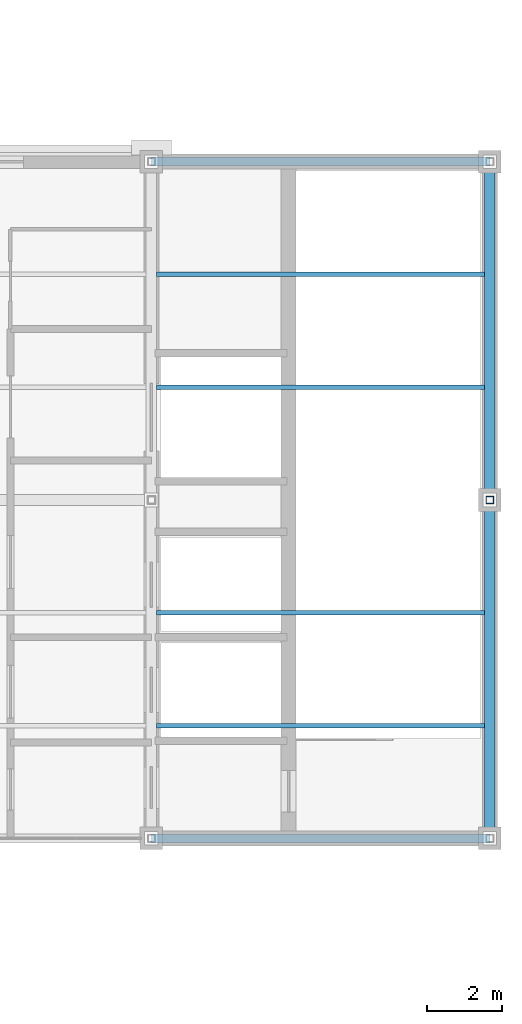
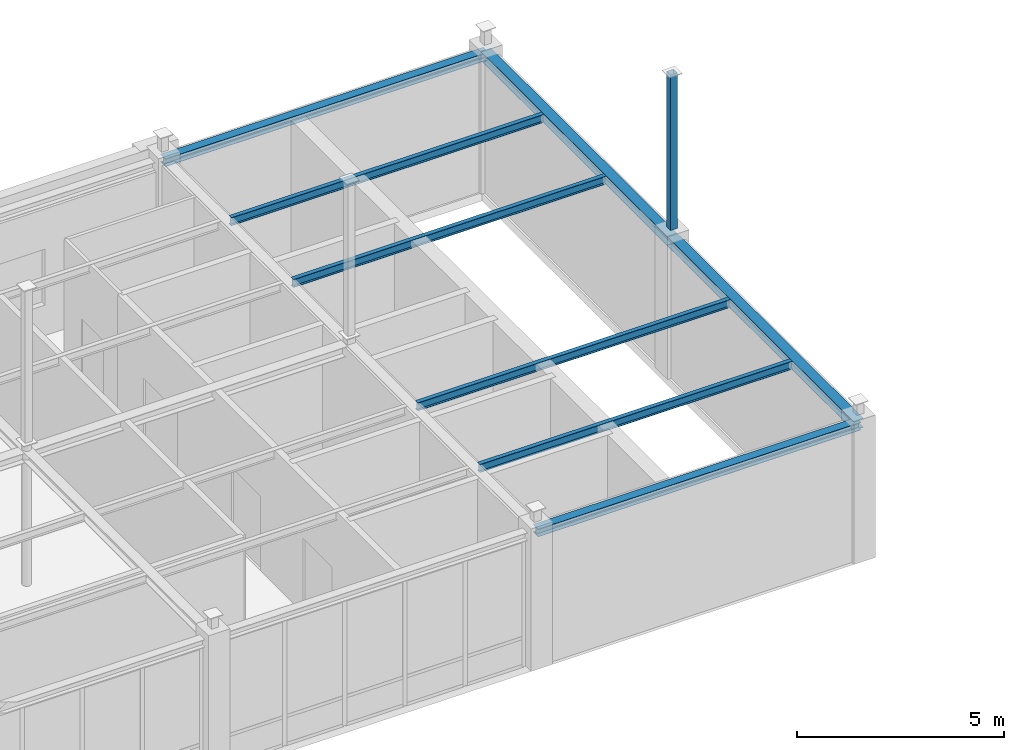
# One storey, part 64 of 97: 8 beams, 1 member.
"""IFC4 building model written with IfcOpenShell, lengths in metres."""

from ifc_helpers import new_model, si_unit, direction, frame, origin, origin_2d, place, context, subcontext, project, spatial, hollow_rectangle, i_section, extrude, material, material_profile, profile_set, type_object, element, save


model = new_model("IFC4")

# Units and contexts
model_context = context("Model", 3, precision=1e-05, world=origin(), true_north=direction((0.0, 1.0)))
body_context = subcontext(model_context, "Body", "Model", "MODEL_VIEW")
ifc_project = project(units=[si_unit("LENGTHUNIT", "METRE"), si_unit("AREAUNIT", "SQUARE_METRE"), si_unit("VOLUMEUNIT", "CUBIC_METRE"), si_unit("PLANEANGLEUNIT", "RADIAN"), si_unit("MASSUNIT", "GRAM", prefix="KILO")], contexts=[model_context])

# Site, building, storey
site_placement = place(None, origin())
site = spatial("IfcSite", under=ifc_project, at=site_placement, CompositionType="ELEMENT")
building_placement = place(site_placement, origin())
building = spatial("IfcBuilding", under=site, at=building_placement, Name="Lykobir Media Centre", CompositionType="ELEMENT")
storey_placement = place(building_placement, frame((0.0, 0.0, 23.39990234375)))
storey = spatial("IfcBuildingStorey", under=building, at=storey_placement, Name="L05", CompositionType="ELEMENT", Elevation=23.39990234375)

# Beams
ifc_material = material(Name="Steel S355", Category="steel")
ifc_material_profile_1 = material_profile(ifc_material, i_section(OverallWidth=0.280029296875, OverallDepth=0.27001953125, WebThickness=0.008056640625, FlangeThickness=0.012939453125, at=origin_2d()), Name="HEA 280")
ifc_profile_set_1 = profile_set([ifc_material_profile_1], Name="Steel S355")
beam_type_1 = type_object("IfcBeamType", Name="BM-HEA280", PredefinedType="BEAM", material=ifc_profile_set_1)
for number, where, z_axis, x_axis, name in (
    (1, (135.0, 72.0, 3.84521484375), (0.0, 1.0, 0.0), (-1.0, 0.0, 0.0), "Beam BM-L05-1350-0720-1350-0810-2724"),
    (2, (135.0, 81.0, 3.84521484375), (0.0, 1.0, 0.0), (-1.0, 0.0, 0.0), "Beam BM-L05-1350-0810-1350-0900-2724"),
):
    element("IfcBeam", number, at=place(storey_placement, frame(where, z_axis=z_axis, x_axis=x_axis)), inside=storey, type_object=beam_type_1, Name=name, PredefinedType="BEAM", context=body_context, shape_type="SweptSolid", body=[
        extrude(i_section(OverallWidth=0.280029296875, OverallDepth=0.27001953125, WebThickness=0.008056640625, FlangeThickness=0.012939453125, at=origin_2d()), origin(), (0.0, 0.0, 1.0), 9.0),
    ])
ifc_material_profile_2 = material_profile(ifc_material, i_section(OverallWidth=0.1201171875, OverallDepth=0.239990234375, WebThickness=0.006103515625, FlangeThickness=0.009765625, at=origin_2d()), Name="IPE 240")
ifc_profile_set_2 = profile_set([ifc_material_profile_2], Name="Steel S355")
beam_type_2 = type_object("IfcBeamType", Name="JS-IPE240", PredefinedType="JOIST", material=ifc_profile_set_2)
for number, where, z_axis, x_axis, name in (
    (3, (126.139892578125, 75.0, 3.860107421875), (1.0, 0.0, 0.0), (0.0, 1.0, 0.0), "Beam BM-L05-1261-0750-1349-0750-2726"),
    (4, (126.139892578125, 78.0, 3.860107421875), (1.0, 0.0, 0.0), (0.0, 1.0, 0.0), "Beam BM-L05-1261-0780-1349-0780-2726"),
    (5, (126.139892578125, 84.0, 3.860107421875), (1.0, 0.0, 0.0), (0.0, 1.0, 0.0), "Beam BM-L05-1261-0840-1349-0840-2726"),
    (6, (126.139892578125, 87.0, 3.860107421875), (1.0, 0.0, 0.0), (0.0, 1.0, 0.0), "Beam BM-L05-1261-0870-1349-0870-2726"),
):
    element("IfcBeam", number, at=place(storey_placement, frame(where, z_axis=z_axis, x_axis=x_axis)), inside=storey, type_object=beam_type_2, Name=name, PredefinedType="JOIST", context=body_context, shape_type="SweptSolid", body=[
        extrude(i_section(OverallWidth=0.1201171875, OverallDepth=0.239990234375, WebThickness=0.006103515625, FlangeThickness=0.009765625, at=origin_2d()), origin(), (0.0, 0.0, 1.0), 8.72021484375),
    ])
ifc_material_profile_3 = material_profile(ifc_material, i_section(OverallWidth=0.239990234375, OverallDepth=0.22998046875, WebThickness=0.007568359375, FlangeThickness=0.011962890625, at=origin_2d()), Name="HEA 240")
ifc_profile_set_3 = profile_set([ifc_material_profile_3], Name="Steel S355")
beam_type_3 = type_object("IfcBeamType", Name="SP-HEA240", PredefinedType="SPANDREL", material=ifc_profile_set_3)
for number, where, z_axis, x_axis, name in (
    (7, (126.0, 72.0, 3.864990234375), (1.0, 0.0, 0.0), (0.0, 1.0, 0.0), "Beam BM-L05-1260-0720-1350-0720-2726"),
    (8, (126.0, 90.0, 3.864990234375), (1.0, 0.0, 0.0), (0.0, 1.0, 0.0), "Beam BM-L05-1260-0900-1350-0900-2726"),
):
    element("IfcBeam", number, at=place(storey_placement, frame(where, z_axis=z_axis, x_axis=x_axis)), inside=storey, type_object=beam_type_3, Name=name, PredefinedType="SPANDREL", context=body_context, shape_type="SweptSolid", body=[
        extrude(i_section(OverallWidth=0.239990234375, OverallDepth=0.22998046875, WebThickness=0.007568359375, FlangeThickness=0.011962890625, at=origin_2d()), origin(), (0.0, 0.0, 1.0), 9.0),
    ])

# Member
ifc_material_profile_4 = material_profile(ifc_material, hollow_rectangle(XDim=0.199951171875, YDim=0.199951171875, WallThickness=0.010009765625, at=origin_2d()), Name="SHS 200x200x10")
ifc_profile_set_4 = profile_set([ifc_material_profile_4], Name="Steel S355")
member_type = type_object("IfcMemberType", Name="TC-SHS200", PredefinedType="CHORD", material=ifc_profile_set_4)
member_placement = place(storey_placement, frame((135.0, 81.0, 4.2001953125), z_axis=(0.0, 0.0, 1.0), x_axis=(1.0, 0.0, 0.0)))
element("IfcMember", 9, at=member_placement, inside=storey, type_object=member_type, Name="Truss chord MEM2-L05-1350-0810-0276-1350-0810-0041", PredefinedType="CHORD", context=body_context, shape_type="SweptSolid", body=[
    extrude(hollow_rectangle(XDim=0.199951171875, YDim=0.199951171875, WallThickness=0.010009765625, at=origin_2d()), origin(), (0.0, 0.0, 1.0), 4.57666015625),
])

save(model, "model.ifc")
